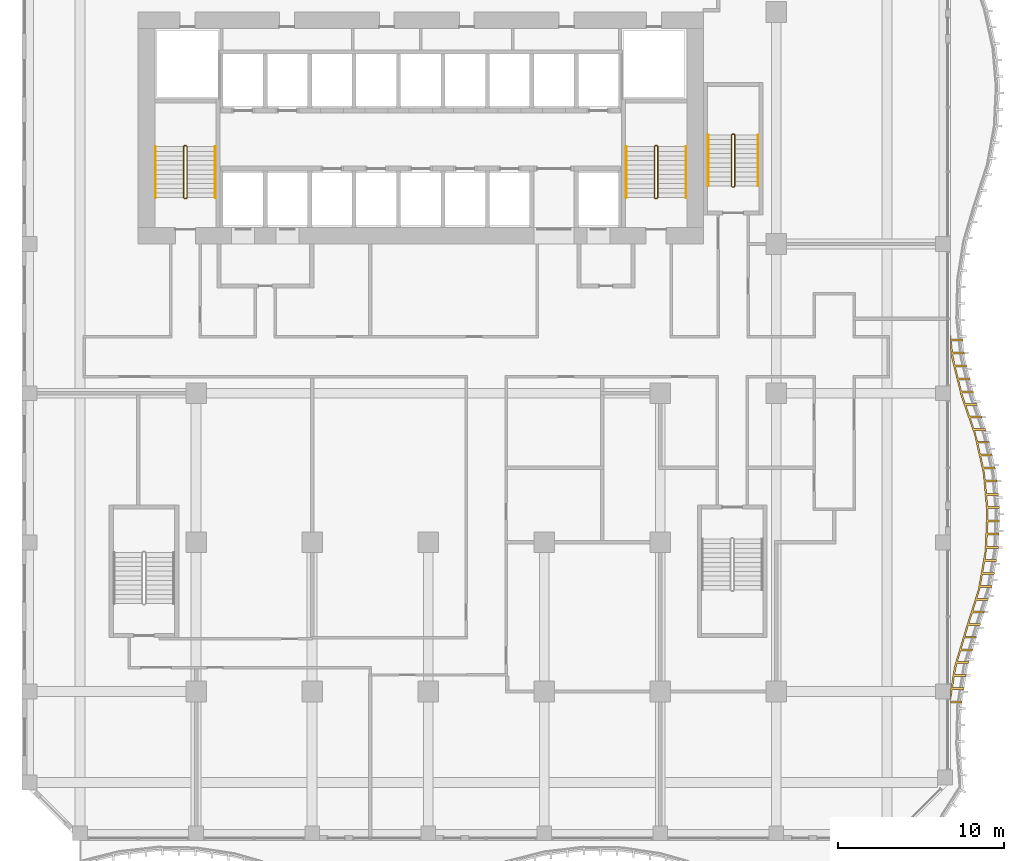
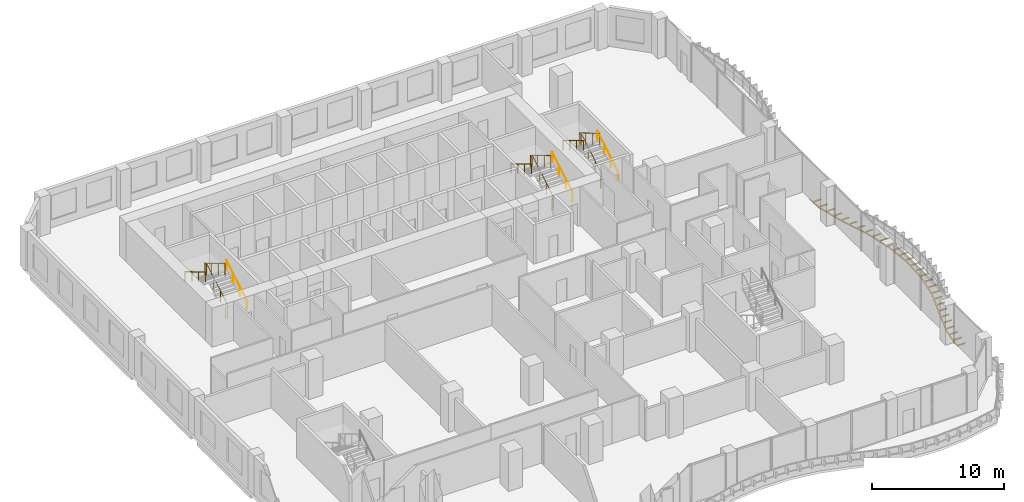
# One storey, part 21 of 21: 9 railings, 1 shading device.
"""IFC4 building model written with IfcOpenShell, lengths in metres."""

from ifc_helpers import new_model, si_unit, direction, frame, origin, origin_2d, place, context, subcontext, project, spatial, polyline, circle, outline, extrude, source, transform, mapped, material, layer, layer_set, type_object, element, save


model = new_model("IFC4")

# Units and contexts
model_context = context("Model", 3, precision=1e-05, world=origin(), true_north=direction((0.0, 1.0)))
body_context = subcontext(model_context, "Body", "Model", "MODEL_VIEW")
ifc_project = project(units=[si_unit("LENGTHUNIT", "METRE"), si_unit("AREAUNIT", "SQUARE_METRE"), si_unit("VOLUMEUNIT", "CUBIC_METRE"), si_unit("PLANEANGLEUNIT", "RADIAN"), si_unit("MASSUNIT", "GRAM", prefix="KILO")], contexts=[model_context])

# Site, building, storey
site_placement = place(None, origin())
site = spatial("IfcSite", under=ifc_project, at=site_placement, CompositionType="ELEMENT")
building_placement = place(site_placement, origin())
building = spatial("IfcBuilding", under=site, at=building_placement, Name="Kilnfold Tower and Market Hall", CompositionType="ELEMENT")
storey_placement = place(building_placement, frame((0.0, 0.0, 91.199951171875)))
storey = spatial("IfcBuildingStorey", under=building, at=storey_placement, Name="L21", CompositionType="ELEMENT", Elevation=91.199951171875)

# Railings
ifc_material_1 = material(Name="Stainless steel 316", Category="steel")
railing_type_1 = type_object("IfcRailingType", Name="CORE STAIR GUARD 1100", PredefinedType="GUARDRAIL", material=ifc_material_1)
railing_1_placement = place(storey_placement, frame((-13.199951171875, 10.75, 0.0)))
element("IfcRailing", 1, at=railing_1_placement, inside=storey, type_object=railing_type_1, Name="L21 ST1 stair guard 1", PredefinedType="GUARDRAIL", context=body_context, shape_type="SweptSolid", body=[
    extrude(circle(Radius=0.02392578125, at=origin_2d()), frame((0.0, 0.0, 1.076171875), z_axis=(1.0, 0.0, 0.0), x_axis=(0.0, 1.0, 0.0)), (0.0, 0.0, 1.0), 0.099853515625),
    extrude(circle(Radius=0.02392578125, at=origin_2d()), frame((0.099853515625, 0.0, 1.076171875), z_axis=(0.27628659633, 0.27628659633, 0.920506074601), x_axis=(-0.707106781187, 0.707106781187, 0.0)), (0.0, 0.0, 1.0), 0.18115234375),
    extrude(circle(Radius=0.02392578125, at=origin_2d()), frame((0.14990234375, 0.050048828125, 1.24267578125), z_axis=(0.0, 0.859290745958, 0.51148745235), x_axis=(-1.0, 0.0, 0.0)), (0.0, 0.0, 1.0), 3.584228515625),
    extrude(circle(Radius=0.02392578125, at=origin_2d()), frame((0.14990234375, 3.1298828125, 3.076171875), z_axis=(-0.707106781187, 0.707106781187, 0.0), x_axis=(-0.707106781187, -0.707106781187, 0.0)), (0.0, 0.0, 1.0), 0.07080078125),
    extrude(circle(Radius=0.02392578125, at=origin_2d()), frame((0.099853515625, 3.179931640625, 3.076171875), z_axis=(-1.0, 0.0, 0.0), x_axis=(0.0, -1.0, 0.0)), (0.0, 0.0, 1.0), 0.099853515625),
    extrude(circle(Radius=0.02392578125, at=origin_2d()), frame((0.0, 3.179931640625, 3.076171875), z_axis=(-0.27628659633, -0.27628659633, 0.920506074601), x_axis=(0.707106781187, -0.707106781187, 0.0)), (0.0, 0.0, 1.0), 0.18115234375),
    extrude(circle(Radius=0.02392578125, at=origin_2d()), frame((-0.050048828125, 3.1298828125, 3.24267578125), z_axis=(0.0, -0.859290745958, 0.51148745235), x_axis=(1.0, 0.0, 0.0)), (0.0, 0.0, 1.0), 3.584228515625),
    extrude(circle(Radius=0.02099609375, at=origin_2d()), origin(), (0.0, 0.0, 1.0), 1.052001953125),
    extrude(circle(Radius=0.02099609375, at=origin_2d()), frame((0.099853515625, 0.0, 0.0)), (0.0, 0.0, 1.0), 1.052001953125),
    extrude(circle(Radius=0.02099609375, at=origin_2d()), frame((0.14990234375, 0.050048828125, 0.166748046875)), (0.0, 0.0, 1.0), 1.052001953125),
    extrude(circle(Radius=0.02099609375, at=origin_2d()), frame((0.14990234375, 1.07666015625, 0.77783203125)), (0.0, 0.0, 1.0), 1.052001953125),
    extrude(circle(Radius=0.02099609375, at=origin_2d()), frame((0.14990234375, 2.103271484375, 1.388916015625)), (0.0, 0.0, 1.0), 1.052001953125),
    extrude(circle(Radius=0.02099609375, at=origin_2d()), frame((0.14990234375, 3.1298828125, 2.0)), (0.0, 0.0, 1.0), 1.052001953125),
    extrude(circle(Radius=0.02099609375, at=origin_2d()), frame((0.099853515625, 3.179931640625, 2.0)), (0.0, 0.0, 1.0), 1.052001953125),
    extrude(circle(Radius=0.02099609375, at=origin_2d()), frame((0.0, 3.179931640625, 2.0)), (0.0, 0.0, 1.0), 1.052001953125),
    extrude(circle(Radius=0.02099609375, at=origin_2d()), frame((-0.050048828125, 3.1298828125, 2.166748046875)), (0.0, 0.0, 1.0), 1.052001953125),
    extrude(circle(Radius=0.02099609375, at=origin_2d()), frame((-0.050048828125, 2.103271484375, 2.77783203125)), (0.0, 0.0, 1.0), 1.052001953125),
    extrude(circle(Radius=0.02099609375, at=origin_2d()), frame((-0.050048828125, 1.07666015625, 3.388916015625)), (0.0, 0.0, 1.0), 1.052001953125),
    extrude(circle(Radius=0.02099609375, at=origin_2d()), frame((-0.050048828125, 0.050048828125, 4.0)), (0.0, 0.0, 1.0), 1.052001953125),
])
railing_2_placement = place(storey_placement, frame((15.199951171875, 10.75, 0.0)))
element("IfcRailing", 2, at=railing_2_placement, inside=storey, type_object=railing_type_1, Name="L21 ST2 stair guard 1", PredefinedType="GUARDRAIL", context=body_context, shape_type="SweptSolid", body=[
    extrude(circle(Radius=0.02392578125, at=origin_2d()), frame((0.0, 0.0, 1.076171875), z_axis=(1.0, 0.0, 0.0), x_axis=(0.0, 1.0, 0.0)), (0.0, 0.0, 1.0), 0.10009765625),
    extrude(circle(Radius=0.02392578125, at=origin_2d()), frame((0.10009765625, 0.0, 1.076171875), z_axis=(0.27628659633, 0.27628659633, 0.920506074601), x_axis=(-0.707106781187, 0.707106781187, 0.0)), (0.0, 0.0, 1.0), 0.18115234375),
    extrude(circle(Radius=0.02392578125, at=origin_2d()), frame((0.150146484375, 0.050048828125, 1.24267578125), z_axis=(0.0, 0.859290745958, 0.51148745235), x_axis=(-1.0, 0.0, 0.0)), (0.0, 0.0, 1.0), 3.584228515625),
    extrude(circle(Radius=0.02392578125, at=origin_2d()), frame((0.150146484375, 3.1298828125, 3.076171875), z_axis=(-0.707106781187, 0.707106781187, 0.0), x_axis=(-0.707106781187, -0.707106781187, 0.0)), (0.0, 0.0, 1.0), 0.07080078125),
    extrude(circle(Radius=0.02392578125, at=origin_2d()), frame((0.10009765625, 3.179931640625, 3.076171875), z_axis=(-1.0, 0.0, 0.0), x_axis=(0.0, -1.0, 0.0)), (0.0, 0.0, 1.0), 0.10009765625),
    extrude(circle(Radius=0.02392578125, at=origin_2d()), frame((0.0, 3.179931640625, 3.076171875), z_axis=(-0.27628659633, -0.27628659633, 0.920506074601), x_axis=(0.707106781187, -0.707106781187, 0.0)), (0.0, 0.0, 1.0), 0.18115234375),
    extrude(circle(Radius=0.02392578125, at=origin_2d()), frame((-0.050048828125, 3.1298828125, 3.24267578125), z_axis=(0.0, -0.859290745958, 0.51148745235), x_axis=(1.0, 0.0, 0.0)), (0.0, 0.0, 1.0), 3.584228515625),
    extrude(circle(Radius=0.02099609375, at=origin_2d()), origin(), (0.0, 0.0, 1.0), 1.052001953125),
    extrude(circle(Radius=0.02099609375, at=origin_2d()), frame((0.10009765625, 0.0, 0.0)), (0.0, 0.0, 1.0), 1.052001953125),
    extrude(circle(Radius=0.02099609375, at=origin_2d()), frame((0.150146484375, 0.050048828125, 0.166748046875)), (0.0, 0.0, 1.0), 1.052001953125),
    extrude(circle(Radius=0.02099609375, at=origin_2d()), frame((0.150146484375, 1.07666015625, 0.77783203125)), (0.0, 0.0, 1.0), 1.052001953125),
    extrude(circle(Radius=0.02099609375, at=origin_2d()), frame((0.150146484375, 2.103271484375, 1.388916015625)), (0.0, 0.0, 1.0), 1.052001953125),
    extrude(circle(Radius=0.02099609375, at=origin_2d()), frame((0.150146484375, 3.1298828125, 2.0)), (0.0, 0.0, 1.0), 1.052001953125),
    extrude(circle(Radius=0.02099609375, at=origin_2d()), frame((0.10009765625, 3.179931640625, 2.0)), (0.0, 0.0, 1.0), 1.052001953125),
    extrude(circle(Radius=0.02099609375, at=origin_2d()), frame((0.0, 3.179931640625, 2.0)), (0.0, 0.0, 1.0), 1.052001953125),
    extrude(circle(Radius=0.02099609375, at=origin_2d()), frame((-0.050048828125, 3.1298828125, 2.166748046875)), (0.0, 0.0, 1.0), 1.052001953125),
    extrude(circle(Radius=0.02099609375, at=origin_2d()), frame((-0.050048828125, 2.103271484375, 2.77783203125)), (0.0, 0.0, 1.0), 1.052001953125),
    extrude(circle(Radius=0.02099609375, at=origin_2d()), frame((-0.050048828125, 1.07666015625, 3.388916015625)), (0.0, 0.0, 1.0), 1.052001953125),
    extrude(circle(Radius=0.02099609375, at=origin_2d()), frame((-0.050048828125, 0.050048828125, 4.0)), (0.0, 0.0, 1.0), 1.052001953125),
])
railing_3_placement = place(storey_placement, frame((19.85009765625, 11.449951171875, 0.0)))
element("IfcRailing", 3, at=railing_3_placement, inside=storey, type_object=railing_type_1, Name="L21 ST5 stair guard 1", PredefinedType="GUARDRAIL", context=body_context, shape_type="SweptSolid", body=[
    extrude(circle(Radius=0.02392578125, at=origin_2d()), frame((0.0, 0.0, 1.076171875), z_axis=(1.0, 0.0, 0.0), x_axis=(0.0, 1.0, 0.0)), (0.0, 0.0, 1.0), 0.099853515625),
    extrude(circle(Radius=0.02392578125, at=origin_2d()), frame((0.099853515625, 0.0, 1.076171875), z_axis=(0.27628659633, 0.27628659633, 0.920506074601), x_axis=(-0.707106781187, 0.707106781187, 0.0)), (0.0, 0.0, 1.0), 0.18115234375),
    extrude(circle(Radius=0.02392578125, at=origin_2d()), frame((0.14990234375, 0.050048828125, 1.24267578125), z_axis=(0.0, 0.859308565015, 0.511457515432), x_axis=(-1.0, 0.0, 0.0)), (0.0, 0.0, 1.0), 3.58447265625),
    extrude(circle(Radius=0.02392578125, at=origin_2d()), frame((0.14990234375, 3.130126953125, 3.076171875), z_axis=(-0.708833529934, 0.705375805398, 0.0), x_axis=(-0.705375805398, -0.708833529934, 0.0)), (0.0, 0.0, 1.0), 0.070556640625),
    extrude(circle(Radius=0.02392578125, at=origin_2d()), frame((0.099853515625, 3.179931640625, 3.076171875), z_axis=(-1.0, 0.0, 0.0), x_axis=(0.0, -1.0, 0.0)), (0.0, 0.0, 1.0), 0.099853515625),
    extrude(circle(Radius=0.02392578125, at=origin_2d()), frame((0.0, 3.179931640625, 3.076171875), z_axis=(-0.276389281352, -0.275041040955, 0.920848191041), x_axis=(0.705375805398, -0.708833529934, 0.0)), (0.0, 0.0, 1.0), 0.18115234375),
    extrude(circle(Radius=0.02392578125, at=origin_2d()), frame((-0.050048828125, 3.130126953125, 3.24267578125), z_axis=(0.0, -0.859308565015, 0.511457515432), x_axis=(1.0, 0.0, 0.0)), (0.0, 0.0, 1.0), 3.58447265625),
    extrude(circle(Radius=0.02099609375, at=origin_2d()), origin(), (0.0, 0.0, 1.0), 1.052001953125),
    extrude(circle(Radius=0.02099609375, at=origin_2d()), frame((0.099853515625, 0.0, 0.0)), (0.0, 0.0, 1.0), 1.052001953125),
    extrude(circle(Radius=0.02099609375, at=origin_2d()), frame((0.14990234375, 0.050048828125, 0.166748046875)), (0.0, 0.0, 1.0), 1.052001953125),
    extrude(circle(Radius=0.02099609375, at=origin_2d()), frame((0.14990234375, 1.07666015625, 0.77783203125)), (0.0, 0.0, 1.0), 1.052001953125),
    extrude(circle(Radius=0.02099609375, at=origin_2d()), frame((0.14990234375, 2.103515625, 1.388916015625)), (0.0, 0.0, 1.0), 1.052001953125),
    extrude(circle(Radius=0.02099609375, at=origin_2d()), frame((0.14990234375, 3.130126953125, 2.0)), (0.0, 0.0, 1.0), 1.052001953125),
    extrude(circle(Radius=0.02099609375, at=origin_2d()), frame((0.099853515625, 3.179931640625, 2.0)), (0.0, 0.0, 1.0), 1.052001953125),
    extrude(circle(Radius=0.02099609375, at=origin_2d()), frame((0.0, 3.179931640625, 2.0)), (0.0, 0.0, 1.0), 1.052001953125),
    extrude(circle(Radius=0.02099609375, at=origin_2d()), frame((-0.050048828125, 3.130126953125, 2.166748046875)), (0.0, 0.0, 1.0), 1.052001953125),
    extrude(circle(Radius=0.02099609375, at=origin_2d()), frame((-0.050048828125, 2.103515625, 2.77783203125)), (0.0, 0.0, 1.0), 1.052001953125),
    extrude(circle(Radius=0.02099609375, at=origin_2d()), frame((-0.050048828125, 1.07666015625, 3.388916015625)), (0.0, 0.0, 1.0), 1.052001953125),
    extrude(circle(Radius=0.02099609375, at=origin_2d()), frame((-0.050048828125, 0.050048828125, 4.0)), (0.0, 0.0, 1.0), 1.052001953125),
])
ifc_material_2 = material(Name="Stainless steel 316", Category="steel")
railing_type_2 = type_object("IfcRailingType", Name="CORE STAIR HANDRAIL 900", PredefinedType="HANDRAIL", material=ifc_material_2)
railing_4_placement = place(storey_placement, frame((-11.35009765625, 10.800048828125, 0.166748046875)))
element("IfcRailing", 4, at=railing_4_placement, inside=storey, type_object=railing_type_2, Name="L21 ST1 stair handrail 1", PredefinedType="HANDRAIL", context=body_context, shape_type="SweptSolid", body=[
    extrude(circle(Radius=0.02392578125, at=origin_2d()), frame((0.0, 0.0, 0.8759765625), z_axis=(0.0, 0.859290745958, 0.51148745235), x_axis=(-1.0, 0.0, 0.0)), (0.0, 0.0, 1.0), 3.584228515625),
    extrude(circle(Radius=0.02099609375, at=origin_2d()), origin(), (0.0, 0.0, 1.0), 0.851806640625),
    extrude(circle(Radius=0.02099609375, at=origin_2d()), frame((0.0, 1.026611328125, 0.611083984375)), (0.0, 0.0, 1.0), 0.851806640625),
    extrude(circle(Radius=0.02099609375, at=origin_2d()), frame((0.0, 2.05322265625, 1.22216796875)), (0.0, 0.0, 1.0), 0.851806640625),
    extrude(circle(Radius=0.02099609375, at=origin_2d()), frame((0.0, 3.079833984375, 1.833251953125)), (0.0, 0.0, 1.0), 0.851806640625),
])
railing_5_placement = place(storey_placement, frame((-14.949951171875, 13.8798828125, 2.166748046875)))
element("IfcRailing", 5, at=railing_5_placement, inside=storey, type_object=railing_type_2, Name="L21 ST1 stair handrail 2", PredefinedType="HANDRAIL", context=body_context, shape_type="SweptSolid", body=[
    extrude(circle(Radius=0.02392578125, at=origin_2d()), frame((0.0, 0.0, 0.8759765625), z_axis=(0.0, -0.859290745958, 0.51148745235), x_axis=(1.0, 0.0, 0.0)), (0.0, 0.0, 1.0), 3.584228515625),
    extrude(circle(Radius=0.02099609375, at=origin_2d()), origin(), (0.0, 0.0, 1.0), 0.851806640625),
    extrude(circle(Radius=0.02099609375, at=origin_2d()), frame((0.0, -1.026611328125, 0.611083984375)), (0.0, 0.0, 1.0), 0.851806640625),
    extrude(circle(Radius=0.02099609375, at=origin_2d()), frame((0.0, -2.05322265625, 1.22216796875)), (0.0, 0.0, 1.0), 0.851806640625),
    extrude(circle(Radius=0.02099609375, at=origin_2d()), frame((0.0, -3.079833984375, 1.833251953125)), (0.0, 0.0, 1.0), 0.851806640625),
])
railing_6_placement = place(storey_placement, frame((17.050048828125, 10.800048828125, 0.166748046875)))
element("IfcRailing", 6, at=railing_6_placement, inside=storey, type_object=railing_type_2, Name="L21 ST2 stair handrail 1", PredefinedType="HANDRAIL", context=body_context, shape_type="SweptSolid", body=[
    extrude(circle(Radius=0.02392578125, at=origin_2d()), frame((0.0, 0.0, 0.8759765625), z_axis=(0.0, 0.859290745958, 0.51148745235), x_axis=(-1.0, 0.0, 0.0)), (0.0, 0.0, 1.0), 3.584228515625),
    extrude(circle(Radius=0.02099609375, at=origin_2d()), origin(), (0.0, 0.0, 1.0), 0.851806640625),
    extrude(circle(Radius=0.02099609375, at=origin_2d()), frame((0.0, 1.026611328125, 0.611083984375)), (0.0, 0.0, 1.0), 0.851806640625),
    extrude(circle(Radius=0.02099609375, at=origin_2d()), frame((0.0, 2.05322265625, 1.22216796875)), (0.0, 0.0, 1.0), 0.851806640625),
    extrude(circle(Radius=0.02099609375, at=origin_2d()), frame((0.0, 3.079833984375, 1.833251953125)), (0.0, 0.0, 1.0), 0.851806640625),
])
railing_7_placement = place(storey_placement, frame((13.449951171875, 13.8798828125, 2.166748046875)))
element("IfcRailing", 7, at=railing_7_placement, inside=storey, type_object=railing_type_2, Name="L21 ST2 stair handrail 2", PredefinedType="HANDRAIL", context=body_context, shape_type="SweptSolid", body=[
    extrude(circle(Radius=0.02392578125, at=origin_2d()), frame((0.0, 0.0, 0.8759765625), z_axis=(0.0, -0.859290745958, 0.51148745235), x_axis=(1.0, 0.0, 0.0)), (0.0, 0.0, 1.0), 3.584228515625),
    extrude(circle(Radius=0.02099609375, at=origin_2d()), origin(), (0.0, 0.0, 1.0), 0.851806640625),
    extrude(circle(Radius=0.02099609375, at=origin_2d()), frame((0.0, -1.026611328125, 0.611083984375)), (0.0, 0.0, 1.0), 0.851806640625),
    extrude(circle(Radius=0.02099609375, at=origin_2d()), frame((0.0, -2.05322265625, 1.22216796875)), (0.0, 0.0, 1.0), 0.851806640625),
    extrude(circle(Radius=0.02099609375, at=origin_2d()), frame((0.0, -3.079833984375, 1.833251953125)), (0.0, 0.0, 1.0), 0.851806640625),
])
railing_8_placement = place(storey_placement, frame((21.39990234375, 11.5, 0.166748046875)))
element("IfcRailing", 8, at=railing_8_placement, inside=storey, type_object=railing_type_2, Name="L21 ST5 stair handrail 1", PredefinedType="HANDRAIL", context=body_context, shape_type="SweptSolid", body=[
    extrude(circle(Radius=0.02392578125, at=origin_2d()), frame((0.0, 0.0, 0.8759765625), z_axis=(0.0, 0.859308565015, 0.511457515432), x_axis=(-1.0, 0.0, 0.0)), (0.0, 0.0, 1.0), 3.58447265625),
    extrude(circle(Radius=0.02099609375, at=origin_2d()), origin(), (0.0, 0.0, 1.0), 0.851806640625),
    extrude(circle(Radius=0.02099609375, at=origin_2d()), frame((0.0, 1.026611328125, 0.611083984375)), (0.0, 0.0, 1.0), 0.851806640625),
    extrude(circle(Radius=0.02099609375, at=origin_2d()), frame((0.0, 2.053466796875, 1.22216796875)), (0.0, 0.0, 1.0), 0.851806640625),
    extrude(circle(Radius=0.02099609375, at=origin_2d()), frame((0.0, 3.080078125, 1.833251953125)), (0.0, 0.0, 1.0), 0.851806640625),
])
railing_9_placement = place(storey_placement, frame((18.39990234375, 14.580078125, 2.166748046875)))
element("IfcRailing", 9, at=railing_9_placement, inside=storey, type_object=railing_type_2, Name="L21 ST5 stair handrail 2", PredefinedType="HANDRAIL", context=body_context, shape_type="SweptSolid", body=[
    extrude(circle(Radius=0.02392578125, at=origin_2d()), frame((0.0, 0.0, 0.8759765625), z_axis=(0.0, -0.859308565015, 0.511457515432), x_axis=(1.0, 0.0, 0.0)), (0.0, 0.0, 1.0), 3.58447265625),
    extrude(circle(Radius=0.02099609375, at=origin_2d()), origin(), (0.0, 0.0, 1.0), 0.851806640625),
    extrude(circle(Radius=0.02099609375, at=origin_2d()), frame((0.0, -1.026611328125, 0.611083984375)), (0.0, 0.0, 1.0), 0.851806640625),
    extrude(circle(Radius=0.02099609375, at=origin_2d()), frame((0.0, -2.053466796875, 1.22216796875)), (0.0, 0.0, 1.0), 0.851806640625),
    extrude(circle(Radius=0.02099609375, at=origin_2d()), frame((0.0, -3.080078125, 1.833251953125)), (0.0, 0.0, 1.0), 0.851806640625),
])

# Shading device
ifc_material_3 = material(Name="Bronze anodised aluminium", Category="aluminium")
ifc_layer = layer(ifc_material_3, 0.080078125)
ifc_layer_set = layer_set([ifc_layer], Name="Bronze anodised aluminium")
shading_device_type = type_object("IfcShadingDeviceType", Name="BRONZE SLAT SOFFIT 80", PredefinedType="USERDEFINED", material=ifc_layer_set)
shared_shape = source(origin(), body_context, "Body", "SweptSolid", [
    extrude(outline(polyline([(33.24462890625, -17.5), (33.946044921875, -15.166748046875), (34.688720703125, -12.833251953125), (35.09765625, -10.5), (35.195068359375, -8.166748046875), (34.985595703125, -5.833251953125), (34.45849609375, -3.5), (33.650390625, -1.166748046875), (33.0732421875, 1.166748046875), (33.0, 1.83349609375), (33.0, 2.744140625), (33.051513671875, 2.2763671875), (33.75146484375, 2.2763671875), (33.764404296875, 2.156982421875), (33.064453125, 2.156982421875), (33.138671875, 1.481201171875), (33.838623046875, 1.481201171875), (33.851806640625, 1.36181640625), (33.15185546875, 1.36181640625), (33.289306640625, 0.697265625), (33.9892578125, 0.697265625), (34.018310546875, 0.580810546875), (33.318115234375, 0.580810546875), (33.4814453125, -0.079345703125), (34.181396484375, -0.079345703125), (34.210205078125, -0.19580078125), (33.51025390625, -0.19580078125), (33.673583984375, -0.85595703125), (34.37353515625, -0.85595703125), (34.40234375, -0.972412109375), (33.702392578125, -0.972412109375), (33.907470703125, -1.6201171875), (34.607421875, -1.6201171875), (34.646728515625, -1.7333984375), (33.94677734375, -1.7333984375), (34.169189453125, -2.376220703125), (34.869384765625, -2.376220703125), (34.90869140625, -2.489501953125), (34.20849609375, -2.489501953125), (34.43115234375, -3.132080078125), (35.131103515625, -3.132080078125), (35.17041015625, -3.245361328125), (34.470458984375, -3.245361328125), (34.649169921875, -3.900390625), (35.34912109375, -3.900390625), (35.37548828125, -4.017578125), (34.675537109375, -4.017578125), (34.825439453125, -4.680908203125), (35.525390625, -4.680908203125), (35.5517578125, -4.7978515625), (34.851806640625, -4.7978515625), (35.001708984375, -5.461181640625), (35.70166015625, -5.461181640625), (35.72802734375, -5.578125), (35.028076171875, -5.578125), (35.123046875, -6.25), (35.822998046875, -6.25), (35.833740234375, -6.36962890625), (35.1337890625, -6.36962890625), (35.194580078125, -7.046875), (35.89453125, -7.046875), (35.9052734375, -7.16650390625), (35.205322265625, -7.16650390625), (35.26611328125, -7.84375), (35.966064453125, -7.84375), (35.976806640625, -7.963134765625), (35.276611328125, -7.963134765625), (35.275146484375, -8.64208984375), (35.97509765625, -8.64208984375), (35.97021484375, -8.761962890625), (35.270263671875, -8.761962890625), (35.24169921875, -9.44140625), (35.94189453125, -9.44140625), (35.936767578125, -9.561279296875), (35.23681640625, -9.561279296875), (35.20849609375, -10.240478515625), (35.908447265625, -10.240478515625), (35.9033203125, -10.360595703125), (35.203369140625, -10.360595703125), (35.104248046875, -11.0322265625), (35.80419921875, -11.0322265625), (35.78369140625, -11.150390625), (35.08349609375, -11.150390625), (34.96630859375, -11.8203125), (35.666259765625, -11.8203125), (35.6455078125, -11.9384765625), (34.945556640625, -11.9384765625), (34.827880859375, -12.608154296875), (35.528076171875, -12.608154296875), (35.50732421875, -12.726318359375), (34.807373046875, -12.726318359375), (34.615234375, -13.3779296875), (35.315185546875, -13.3779296875), (35.27880859375, -13.4921875), (34.578857421875, -13.4921875), (34.372802734375, -14.14013671875), (35.07275390625, -14.14013671875), (35.036376953125, -14.254638671875), (34.336181640625, -14.254638671875), (34.130126953125, -14.902587890625), (34.830078125, -14.902587890625), (34.793701171875, -15.016845703125), (34.09375, -15.016845703125), (33.8955078125, -15.66748046875), (34.595703125, -15.66748046875), (34.56103515625, -15.7822265625), (33.861083984375, -15.7822265625), (33.665283203125, -16.43359375), (34.365234375, -16.43359375), (34.330810546875, -16.54833984375), (33.630615234375, -16.54833984375), (33.43505859375, -17.19970703125), (34.135009765625, -17.19970703125), (34.100341796875, -17.314697265625), (33.400390625, -17.314697265625), (33.268310546875, -17.98046875), (33.968505859375, -17.98046875), (33.94970703125, -18.098876953125), (33.24951171875, -18.098876953125), (33.14306640625, -18.7705078125), (33.843017578125, -18.7705078125), (33.82421875, -18.888916015625), (33.1240234375, -18.888916015625), (33.017578125, -19.560546875), (33.717529296875, -19.560546875), (33.69873046875, -19.67919921875), (33.0, -19.67919921875), (33.0, -19.041015625), (33.24462890625, -17.5)])), origin(), (0.0, 0.0, 1.0), 0.080078125),
])
shading_device_placement = place(storey_placement, frame((0.0, 0.0, -0.300048828125)))
element("IfcShadingDevice", 10, at=shading_device_placement, inside=storey, type_object=shading_device_type, Name="Balcony soffit slats L21", ObjectType="SLAT", PredefinedType="USERDEFINED", context=body_context, shape_type="MappedRepresentation", body=[
    mapped(shared_shape, transform((0.0, 0.0, 0.0))),
])

save(model, "model.ifc")
